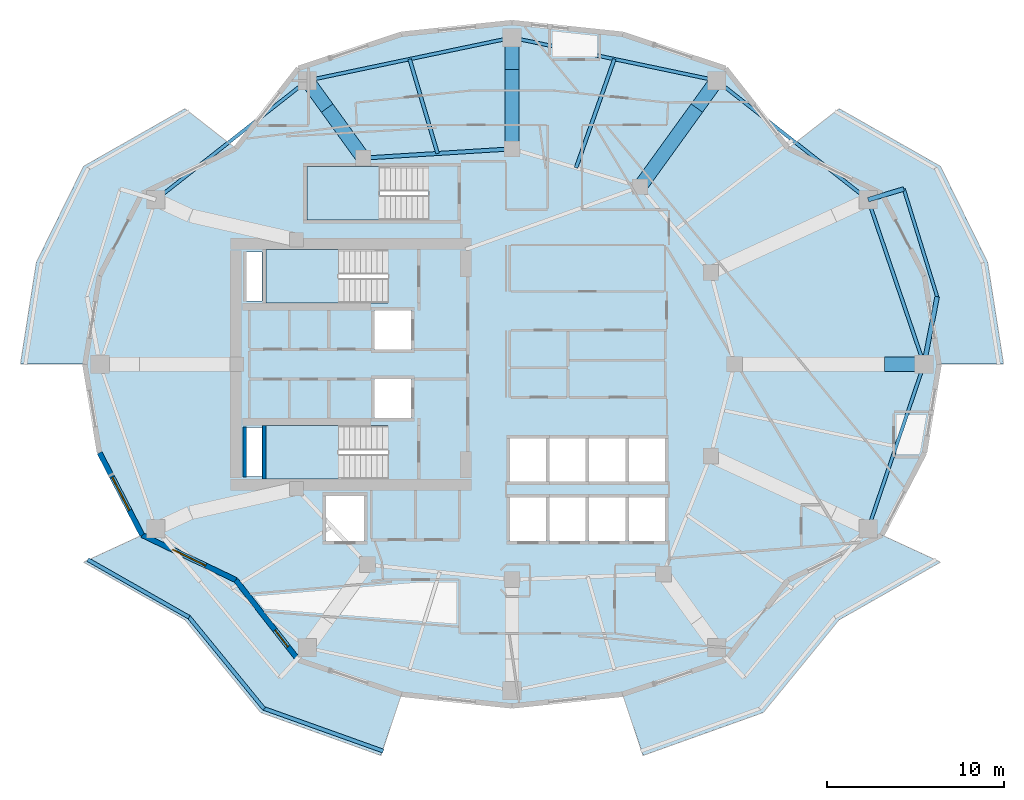
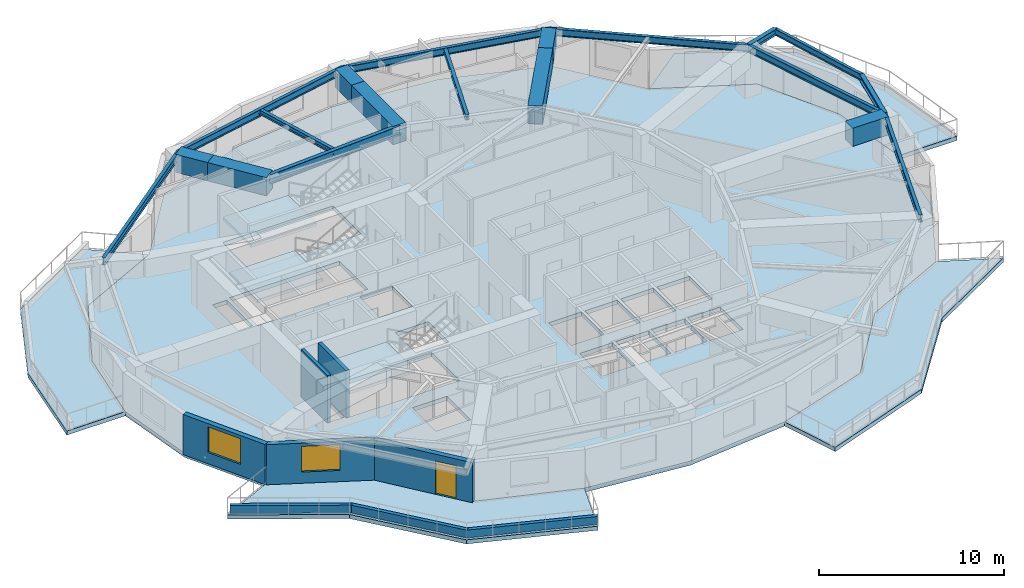
# One storey, part 2 of 12: 19 beams, 8 slabs, 8 walls, 2 windows, 1 door, 3 openings, 3 elements without a shape of their own.
"""IFC4 building model written with IfcOpenShell, lengths in metres."""

import ifcopenshell
import ifcopenshell.guid

model = None  # the IFC model being written
_history = None  # IfcOwnerHistory: only IFC2X3 demands one
_inside = {}  # id of a spatial element -> (the spatial element, [elements in it])
_under = {}  # id of a project, library or spatial element -> (it, [spatial elements below it])
_declared = {}  # id of a project -> (the project, [libraries it declares])
_typed = {}  # id of a type object -> (the type object, [elements of that type])
_made_of = {}  # id of a material, layer set ... -> (it, [elements and type objects made of it])


def new_model(schema):
    """Start an empty IFC model of exactly this schema.

    Asked for "IFC4X3", IfcOpenShell would pick the latest addendum, in which some entities
    have other attributes; the version numbers below select the first issue.
    IFC2X3 requires an IfcOwnerHistory on every rooted entity: one is made here for all.
    """
    global model, _history
    if schema == "IFC4X3":
        model = ifcopenshell.file(schema_version=(4, 3, 0, 0))
    else:
        model = ifcopenshell.file(schema=schema)
    _inside.clear()
    _under.clear()
    _declared.clear()
    _typed.clear()
    _made_of.clear()
    _history = None
    if model.schema == "IFC2X3":
        org = make("IfcOrganization", Name="unknown")
        user = make(
            "IfcPersonAndOrganization",
            ThePerson=make("IfcPerson", FamilyName="unknown"),
            TheOrganization=org,
        )
        app = make(
            "IfcApplication",
            ApplicationDeveloper=org,
            Version="unknown",
            ApplicationFullName="unknown",
            ApplicationIdentifier="unknown",
        )
        _history = make(
            "IfcOwnerHistory",
            OwningUser=user,
            OwningApplication=app,
            ChangeAction="ADDED",
            CreationDate=0,
        )
    return model


def make(cls, **values):
    """One entity of the class cls with the attributes given. An attribute that is None is left unset."""
    return model.create_entity(
        cls, **{name: value for name, value in values.items() if value is not None}
    )


def rooted(cls, **values):
    """An entity with a GlobalId (a new one), such as an element, a storey or a relation."""
    return make(cls, GlobalId=ifcopenshell.guid.new(), OwnerHistory=_history, **values)


def si_unit(unit_type, name, prefix=None):
    """IfcSIUnit, for example si_unit("LENGTHUNIT", "METRE", prefix="MILLI")."""
    return make("IfcSIUnit", UnitType=unit_type, Prefix=prefix, Name=name)


def assignment(units):
    """IfcUnitAssignment: the units of a project."""
    return None if units is None else make("IfcUnitAssignment", Units=units)


def point(xyz):
    """IfcCartesianPoint."""
    return None if xyz is None else make("IfcCartesianPoint", Coordinates=xyz)


def direction(xyz):
    """IfcDirection."""
    return None if xyz is None else make("IfcDirection", DirectionRatios=xyz)


def frame(location, z_axis=None, x_axis=None):
    """IfcAxis2Placement3D, a coordinate frame: its origin and axes. An axis left out is left unset."""
    return make(
        "IfcAxis2Placement3D",
        Location=point(location),
        Axis=direction(z_axis),
        RefDirection=direction(x_axis),
    )


def frame_2d(location, x_axis=None):
    """IfcAxis2Placement2D, a coordinate frame in the plane: its origin and x axis."""
    return make(
        "IfcAxis2Placement2D", Location=point(location), RefDirection=direction(x_axis)
    )


def origin():
    """The frame at (0, 0, 0) with its axes left unset."""
    return frame((0.0, 0.0, 0.0))


def origin_2d():
    """The frame at (0, 0) in the plane with its x axis left unset."""
    return frame_2d((0.0, 0.0))


def place(relative_to, where):
    """IfcLocalPlacement: puts the frame where relative to a parent placement (None: the world)."""
    return make(
        "IfcLocalPlacement", PlacementRelTo=relative_to, RelativePlacement=where
    )


def context(
    kind, dimensions, precision=None, world=None, true_north=None, identifier=None
):
    """IfcGeometricRepresentationContext, for example the 3D "Model" context."""
    return make(
        "IfcGeometricRepresentationContext",
        ContextIdentifier=identifier,
        ContextType=kind,
        CoordinateSpaceDimension=dimensions,
        Precision=precision,
        WorldCoordinateSystem=world,
        TrueNorth=true_north,
    )


def subcontext(parent, identifier, kind, view, scale=None):
    """IfcGeometricRepresentationSubContext, for example "Body" below "Model"."""
    return make(
        "IfcGeometricRepresentationSubContext",
        ContextIdentifier=identifier,
        ContextType=kind,
        ParentContext=parent,
        TargetScale=scale,
        TargetView=view,
    )


def project(units=None, contexts=None):
    """IfcProject with its units and contexts."""
    return rooted(
        "IfcProject",
        Name="project",
        RepresentationContexts=contexts,
        UnitsInContext=assignment(units),
    )


def spatial(cls, under=None, at=None, **own):
    """A site, building, storey or space (cls), placed at a placement, below another one or the project."""
    s = rooted(cls, ObjectPlacement=at, **own)
    if under is not None:
        _under.setdefault(under.id(), (under, []))[1].append(s)
    return s


def polyline(points):
    """IfcPolyline through the points."""
    return make("IfcPolyline", Points=[point(p) for p in points])


def profile(cls, at=None, kind="AREA", **sizes):
    """A parametric profile (cls). Its sizes go by their IFC names, for example OverallWidth=200.0."""
    return make(cls, ProfileType=kind, Position=at, **sizes)


def rectangle(**sizes):
    """IfcRectangleProfileDef."""
    return profile("IfcRectangleProfileDef", **sizes)


def i_section(**sizes):
    """IfcIShapeProfileDef."""
    return profile("IfcIShapeProfileDef", **sizes)


def outline(outer, holes=None, kind="AREA"):
    """IfcArbitraryClosedProfileDef: a profile drawn as a closed curve; with holes, ...WithVoids."""
    if holes is None:
        return make("IfcArbitraryClosedProfileDef", ProfileType=kind, OuterCurve=outer)
    return make(
        "IfcArbitraryProfileDefWithVoids",
        ProfileType=kind,
        OuterCurve=outer,
        InnerCurves=holes,
    )


def extrude(swept, where, along, depth):
    """IfcExtrudedAreaSolid: the profile swept, set in the frame where, extruded along a direction by depth."""
    return make(
        "IfcExtrudedAreaSolid",
        SweptArea=swept,
        Position=where,
        ExtrudedDirection=direction(along),
        Depth=depth,
    )


def shape(context_of_items, identifier, shape_type, items):
    """IfcShapeRepresentation: the items that make up one representation, for example the "Body"."""
    return make(
        "IfcShapeRepresentation",
        ContextOfItems=context_of_items,
        RepresentationIdentifier=identifier,
        RepresentationType=shape_type,
        Items=items,
    )


def material(Name=None, Category=None):
    """IfcMaterial."""
    return make("IfcMaterial", Name=Name, Category=Category)


def layer(
    of_material, thickness, ventilated=None, Name=None, Category=None, Priority=None
):
    """IfcMaterialLayer: one layer of a wall or slab, of a material (None: an air gap)."""
    return make(
        "IfcMaterialLayer",
        Material=of_material,
        LayerThickness=thickness,
        IsVentilated=ventilated,
        Name=Name,
        Category=Category,
        Priority=Priority,
    )


def layer_set(layers, Name=None):
    """IfcMaterialLayerSet."""
    return make("IfcMaterialLayerSet", MaterialLayers=layers, LayerSetName=Name)


def material_profile(
    of_material, cross_section, Name=None, Category=None, Priority=None
):
    """IfcMaterialProfile: a cross section and its material."""
    return make(
        "IfcMaterialProfile",
        Name=Name,
        Material=of_material,
        Profile=cross_section,
        Priority=Priority,
        Category=Category,
    )


def profile_set(profiles, Name=None, composite=None):
    """IfcMaterialProfileSet."""
    return make(
        "IfcMaterialProfileSet",
        Name=Name,
        MaterialProfiles=profiles,
        CompositeProfile=composite,
    )


def made_of(thing, what):
    """Note that an element or type object is made of a material, layer set ...; save() writes the relation."""
    if what is not None:
        _made_of.setdefault(what.id(), (what, []))[1].append(thing)
    return thing


def type_object(cls, material=None, **own):
    """A type object (cls), such as IfcWallType, which elements share."""
    return made_of(rooted(cls, **own), material)


def element(
    cls,
    number,
    at=None,
    inside=None,
    cuts=None,
    type_object=None,
    material=None,
    context=None,
    identifier="Body",
    shape_type=None,
    held_by="IfcProductDefinitionShape",
    body=None,
    shapes=None,
    **own,
):
    """One element of the class cls, such as IfcWall. Its Tag is "e" and its number.

    at: its placement. inside: the storey or other place that contains it. cuts: it is an
    opening in that element (IfcRelVoidsElement). A single representation is given by context,
    identifier, shape_type and body (its items); several are given by shapes. held_by: the class
    of the entity that holds the representations. save() writes the other relations.
    """
    e = rooted(cls, Tag="e%d" % number, ObjectPlacement=at, **own)
    if body is not None:
        shapes = [shape(context, identifier, shape_type, body)]
    if shapes is not None:
        e.Representation = make(held_by, Representations=shapes)
    if inside is not None:
        _inside.setdefault(inside.id(), (inside, []))[1].append(e)
    if cuts is not None:
        rooted(
            "IfcRelVoidsElement", RelatingBuildingElement=cuts, RelatedOpeningElement=e
        )
    if type_object is not None:
        _typed.setdefault(type_object.id(), (type_object, []))[1].append(e)
    return made_of(e, material)


def fill(opening, filler):
    """IfcRelFillsElement: the door or window that sits in an opening."""
    return rooted(
        "IfcRelFillsElement",
        RelatingOpeningElement=opening,
        RelatedBuildingElement=filler,
    )


def aggregate(whole, parts):
    """IfcRelAggregates: a whole, such as a stair, and the parts it consists of."""
    return rooted("IfcRelAggregates", RelatingObject=whole, RelatedObjects=parts)


def save(model, path):
    """Write the relations noted so far, then the file.

    IfcRelAggregates (storeys below a building ...), IfcRelContainedInSpatialStructure (elements
    in a storey), IfcRelDefinesByType, IfcRelAssociatesMaterial and IfcRelDeclares: one each for
    every whole, place, type object, material and project.
    """
    for whole, parts in _under.values():
        aggregate(whole, parts)
    for where, things in _inside.values():
        rooted(
            "IfcRelContainedInSpatialStructure",
            RelatedElements=things,
            RelatingStructure=where,
        )
    for kind, things in _typed.values():
        rooted("IfcRelDefinesByType", RelatedObjects=things, RelatingType=kind)
    for what, things in _made_of.values():
        rooted("IfcRelAssociatesMaterial", RelatedObjects=things, RelatingMaterial=what)
    for by, libraries in _declared.values():
        rooted("IfcRelDeclares", RelatingContext=by, RelatedDefinitions=libraries)
    model.write(path)


model = new_model("IFC4")

# Units and contexts
model_context = context("Model", 3, precision=1e-05, world=origin(), true_north=direction((0.0, 1.0)))
body_context = subcontext(model_context, "Body", "Model", "MODEL_VIEW")
ifc_project = project(units=[si_unit("LENGTHUNIT", "METRE"), si_unit("AREAUNIT", "SQUARE_METRE"), si_unit("VOLUMEUNIT", "CUBIC_METRE"), si_unit("PLANEANGLEUNIT", "RADIAN"), si_unit("MASSUNIT", "GRAM", prefix="KILO")], contexts=[model_context])

# Site, building, storey
site_placement = place(None, origin())
site = spatial("IfcSite", under=ifc_project, at=site_placement, CompositionType="ELEMENT")
building_placement = place(site_placement, origin())
building = spatial("IfcBuilding", under=site, at=building_placement, Name="Kolvaren Gate Tower and Convention Centre", CompositionType="ELEMENT")
storey_placement = place(building_placement, frame((0.0, 0.0, 139.300048828125)))
storey = spatial("IfcBuildingStorey", under=building, at=storey_placement, Name="L35", CompositionType="ELEMENT", Elevation=139.300048828125)

# Beams
ifc_material_1 = material(Name="Structural steel ASTM A992 Grade 345 MPa", Category="steel")
ifc_material_profile_1 = material_profile(ifc_material_1, i_section(OverallWidth=0.260009765625, OverallDepth=0.419921875, WebThickness=0.013427734375, FlangeThickness=0.0224609375, at=origin_2d()), Name="W410X132")
ifc_profile_set_1 = profile_set([ifc_material_profile_1], Name="Structural steel ASTM A992 Grade 345 MPa")
beam_type_1 = type_object("IfcBeamType", Name="STR-BM-W410X132", PredefinedType="BEAM", material=ifc_profile_set_1)
beam_1_placement = place(storey_placement, frame((53.46240234375, 27.0, 2.92041015625), z_axis=(0.191057318066, 0.981578881809, 0.0), x_axis=(-0.981578881809, 0.191057318066, 0.0)))
element("IfcBeam", 1, at=beam_1_placement, inside=storey, type_object=beam_type_1, Name="Tower L36 Planted Balcony Outrigger Cantilever BC-1A", PredefinedType="BEAM", context=body_context, shape_type="SweptSolid", body=[
    extrude(i_section(OverallWidth=0.260009765625, OverallDepth=0.419921875, WebThickness=0.013427734375, FlangeThickness=0.0224609375, at=origin_2d()), origin(), (0.0, 0.0, 1.0), 3.89990234375),
])
beam_2_placement = place(storey_placement, frame((50.30029296875, 36.318603515625, 2.92041015625), z_axis=(0.956945492559, 0.290267676932, 0.0), x_axis=(-0.290267676932, 0.956945492559, 0.0)))
element("IfcBeam", 2, at=beam_2_placement, inside=storey, type_object=beam_type_1, Name="Tower L36 Planted Balcony Outrigger Cantilever BC-1B", PredefinedType="BEAM", context=body_context, shape_type="SweptSolid", body=[
    extrude(i_section(OverallWidth=0.260009765625, OverallDepth=0.419921875, WebThickness=0.013427734375, FlangeThickness=0.0224609375, at=origin_2d()), origin(), (0.0, 0.0, 1.0), 2.108642578125),
])
ifc_material_profile_2 = material_profile(ifc_material_1, i_section(OverallWidth=0.22998046875, OverallDepth=0.616943359375, WebThickness=0.01318359375, FlangeThickness=0.022216796875, at=origin_2d()), Name="W610X140")
ifc_profile_set_2 = profile_set([ifc_material_profile_2], Name="Structural steel ASTM A992 Grade 345 MPa")
beam_type_2 = type_object("IfcBeamType", Name="STR-BM-W610X140", PredefinedType="BEAM", material=ifc_profile_set_2)
beam_3_placement = place(storey_placement, frame((30.125, 39.199951171875, 2.821533203125), z_axis=(-0.998078258568, -0.06196603726, 0.0), x_axis=(0.06196603726, -0.998078258568, 0.0)))
element("IfcBeam", 3, at=beam_3_placement, inside=storey, type_object=beam_type_2, Name="Tower L35 Primary Ring Girder G-04", PredefinedType="BEAM", context=body_context, shape_type="SweptSolid", body=[
    extrude(i_section(OverallWidth=0.22998046875, OverallDepth=0.616943359375, WebThickness=0.01318359375, FlangeThickness=0.022216796875, at=origin_2d()), origin(), (0.0, 0.0, 1.0), 8.443115234375),
])
ifc_material_profile_3 = material_profile(ifc_material_1, i_section(OverallWidth=0.205078125, OverallDepth=0.31005859375, WebThickness=0.009521484375, FlangeThickness=0.016357421875, at=origin_2d()), Name="W310X74")
ifc_profile_set_3 = profile_set([ifc_material_profile_3], Name="Structural steel ASTM A992 Grade 345 MPa")
beam_type_3 = type_object("IfcBeamType", Name="STR-JS-W310X74", PredefinedType="JOIST", material=ifc_profile_set_3)
beam_4_placement = place(storey_placement, frame((33.75341796875, 38.12744140625, 2.974853515625), z_axis=(0.332372088023, 0.943148342046, 0.0), x_axis=(-0.943148342046, 0.332372088023, 0.0)))
element("IfcBeam", 4, at=beam_4_placement, inside=storey, type_object=beam_type_3, Name="Tower L35 Secondary Composite Floor Joist J-03.1", PredefinedType="JOIST", context=body_context, shape_type="SweptSolid", body=[
    extrude(i_section(OverallWidth=0.205078125, OverallDepth=0.31005859375, WebThickness=0.009521484375, FlangeThickness=0.016357421875, at=origin_2d()), origin(), (0.0, 0.0, 1.0), 6.52783203125),
])
beam_5_placement = place(storey_placement, frame((25.91162109375, 38.938232421875, 2.974853515625), z_axis=(-0.284209081553, 0.958762326107, 0.0), x_axis=(-0.958762326107, -0.284209081553, 0.0)))
element("IfcBeam", 5, at=beam_5_placement, inside=storey, type_object=beam_type_3, Name="Tower L35 Secondary Composite Floor Joist J-04.1", PredefinedType="JOIST", context=body_context, shape_type="SweptSolid", body=[
    extrude(i_section(OverallWidth=0.205078125, OverallDepth=0.31005859375, WebThickness=0.009521484375, FlangeThickness=0.016357421875, at=origin_2d()), origin(), (0.0, 0.0, 1.0), 5.575927734375),
])
ifc_material_profile_4 = material_profile(ifc_material_1, i_section(OverallWidth=0.180908203125, OverallDepth=0.4169921875, WebThickness=0.010986328125, FlangeThickness=0.018310546875, at=origin_2d()), Name="W410X85")
ifc_profile_set_4 = profile_set([ifc_material_profile_4], Name="Structural steel ASTM A992 Grade 345 MPa")
beam_type_4 = type_object("IfcBeamType", Name="STR-SP-W410X85", PredefinedType="SPANDREL", material=ifc_profile_set_4)
beam_6_placement = place(storey_placement, frame((54.20751953125, 30.828125, 2.921875), z_axis=(-0.295758460142, 0.955262756133, 0.0), x_axis=(-0.955262756133, -0.295758460142, 0.0)))
element("IfcBeam", 6, at=beam_6_placement, inside=storey, type_object=beam_type_4, Name="Tower L36 Planted Balcony Header Tie Beam BT-1", PredefinedType="SPANDREL", context=body_context, shape_type="SweptSolid", body=[
    extrude(i_section(OverallWidth=0.180908203125, OverallDepth=0.4169921875, WebThickness=0.010986328125, FlangeThickness=0.018310546875, at=origin_2d()), origin(), (0.0, 0.0, 1.0), 6.388427734375),
])
ifc_material_profile_5 = material_profile(ifc_material_1, i_section(OverallWidth=0.194091796875, OverallDepth=0.468994140625, WebThickness=0.0126953125, FlangeThickness=0.0205078125, at=origin_2d()), Name="W460X106")
ifc_profile_set_5 = profile_set([ifc_material_profile_5], Name="Structural steel ASTM A992 Grade 345 MPa")
beam_type_5 = type_object("IfcBeamType", Name="STR-SP-W460X106", PredefinedType="SPANDREL", material=ifc_profile_set_5)
beam_7_placement = place(storey_placement, frame((53.46240234375, 27.0, 2.8955078125), z_axis=(-0.321336471485, 0.946965084939, 0.0), x_axis=(-0.946965084939, -0.321336471485, 0.0)))
element("IfcBeam", 7, at=beam_7_placement, inside=storey, type_object=beam_type_5, Name="Tower L35 Perimeter Spandrel Beam SP-01", PredefinedType="SPANDREL", context=body_context, shape_type="SweptSolid", body=[
    extrude(i_section(OverallWidth=0.194091796875, OverallDepth=0.468994140625, WebThickness=0.0126953125, FlangeThickness=0.0205078125, at=origin_2d()), origin(), (0.0, 0.0, 1.0), 9.840576171875),
])
beam_8_placement = place(storey_placement, frame((50.30029296875, 36.318603515625, 2.8955078125), z_axis=(-0.785907610354, 0.618343939881, 0.0), x_axis=(-0.618343939881, -0.785907610354, 0.0)))
element("IfcBeam", 8, at=beam_8_placement, inside=storey, type_object=beam_type_5, Name="Tower L35 Perimeter Spandrel Beam SP-02", PredefinedType="SPANDREL", context=body_context, shape_type="SweptSolid", body=[
    extrude(i_section(OverallWidth=0.194091796875, OverallDepth=0.468994140625, WebThickness=0.0126953125, FlangeThickness=0.0205078125, at=origin_2d()), origin(), (0.0, 0.0, 1.0), 10.915771484375),
])
beam_9_placement = place(storey_placement, frame((41.721435546875, 43.068359375, 2.8955078125), z_axis=(-0.978714746947, 0.205225349578, 0.0), x_axis=(-0.205225349578, -0.978714746947, 0.0)))
element("IfcBeam", 9, at=beam_9_placement, inside=storey, type_object=beam_type_5, Name="Tower L35 Perimeter Spandrel Beam SP-03", PredefinedType="SPANDREL", context=body_context, shape_type="SweptSolid", body=[
    extrude(i_section(OverallWidth=0.194091796875, OverallDepth=0.468994140625, WebThickness=0.0126953125, FlangeThickness=0.0205078125, at=origin_2d()), origin(), (0.0, 0.0, 1.0), 11.8486328125),
])
beam_10_placement = place(storey_placement, frame((30.125, 45.5, 2.8955078125), z_axis=(-0.978713879092, -0.20522948831, 0.0), x_axis=(0.20522948831, -0.978713879092, 0.0)))
element("IfcBeam", 10, at=beam_10_placement, inside=storey, type_object=beam_type_5, Name="Tower L35 Perimeter Spandrel Beam SP-04", PredefinedType="SPANDREL", context=body_context, shape_type="SweptSolid", body=[
    extrude(i_section(OverallWidth=0.194091796875, OverallDepth=0.468994140625, WebThickness=0.0126953125, FlangeThickness=0.0205078125, at=origin_2d()), origin(), (0.0, 0.0, 1.0), 11.848388671875),
])
beam_11_placement = place(storey_placement, frame((18.52880859375, 43.068359375, 2.8955078125), z_axis=(-0.785916161629, -0.61833307116, 0.0), x_axis=(0.61833307116, -0.785916161629, 0.0)))
element("IfcBeam", 11, at=beam_11_placement, inside=storey, type_object=beam_type_5, Name="Tower L35 Perimeter Spandrel Beam SP-05", PredefinedType="SPANDREL", context=body_context, shape_type="SweptSolid", body=[
    extrude(i_section(OverallWidth=0.194091796875, OverallDepth=0.468994140625, WebThickness=0.0126953125, FlangeThickness=0.0205078125, at=origin_2d()), origin(), (0.0, 0.0, 1.0), 10.916015625),
])
beam_12_placement = place(storey_placement, frame((50.30029296875, 17.681396484375, 2.8955078125), z_axis=(0.321336471485, 0.946965084939, 0.0), x_axis=(-0.946965084939, 0.321336471485, 0.0)))
element("IfcBeam", 12, at=beam_12_placement, inside=storey, type_object=beam_type_5, Name="Tower L35 Perimeter Spandrel Beam SP-12", PredefinedType="SPANDREL", context=body_context, shape_type="SweptSolid", body=[
    extrude(i_section(OverallWidth=0.194091796875, OverallDepth=0.468994140625, WebThickness=0.0126953125, FlangeThickness=0.0205078125, at=origin_2d()), origin(), (0.0, 0.0, 1.0), 9.840576171875),
])
ifc_material_2 = material(Name="Concrete C70/85", Category="concrete")
ifc_material_profile_6 = material_profile(ifc_material_2, rectangle(XDim=0.800048828125, YDim=1.199951171875, at=origin_2d()), Name="RC-BM-800X1200")
ifc_profile_set_6 = profile_set([ifc_material_profile_6], Name="Concrete C70/85")
beam_type_6 = type_object("IfcBeamType", Name="STR-TG-RC800X1200", PredefinedType="USERDEFINED", material=ifc_profile_set_6)
beam_13_placement = place(storey_placement, frame((51.21240234375, 27.0, 2.530517578125), z_axis=(1.0, 0.0, 0.0), x_axis=(0.0, 1.0, 0.0)))
element("IfcBeam", 13, at=beam_13_placement, inside=storey, type_object=beam_type_6, Name="Tower L35 Zone-Transition Radial Transfer Girder XFG-01B", ObjectType="TRANSFER GIRDER", PredefinedType="USERDEFINED", context=body_context, shape_type="SweptSolid", body=[
    extrude(rectangle(XDim=0.800048828125, YDim=1.199951171875, at=origin_2d()), origin(), (0.0, 0.0, 1.0), 2.25),
])
beam_14_placement = place(storey_placement, frame((37.381591796875, 37.054931640625, 2.530517578125), z_axis=(0.58520818289, 0.810883088169, 0.0), x_axis=(-0.810883088169, 0.58520818289, 0.0)))
element("IfcBeam", 14, at=beam_14_placement, inside=storey, type_object=beam_type_6, Name="Tower L35 Zone-Transition Radial Transfer Girder XFG-03A", ObjectType="TRANSFER GIRDER", PredefinedType="USERDEFINED", context=body_context, shape_type="SweptSolid", body=[
    extrude(rectangle(XDim=0.800048828125, YDim=1.199951171875, at=origin_2d()), origin(), (0.0, 0.0, 1.0), 5.493408203125),
])
beam_15_placement = place(storey_placement, frame((40.596435546875, 41.509521484375, 2.530517578125), z_axis=(0.585207670307, 0.810883458096, 0.0), x_axis=(-0.810883458096, 0.585207670307, 0.0)))
element("IfcBeam", 15, at=beam_15_placement, inside=storey, type_object=beam_type_6, Name="Tower L35 Zone-Transition Radial Transfer Girder XFG-03B", ObjectType="TRANSFER GIRDER", PredefinedType="USERDEFINED", context=body_context, shape_type="SweptSolid", body=[
    extrude(rectangle(XDim=0.800048828125, YDim=1.199951171875, at=origin_2d()), origin(), (0.0, 0.0, 1.0), 1.92236328125),
])
beam_16_placement = place(storey_placement, frame((30.125, 39.199951171875, 2.530517578125), z_axis=(0.0, 1.0, 0.0), x_axis=(-1.0, 0.0, 0.0)))
element("IfcBeam", 16, at=beam_16_placement, inside=storey, type_object=beam_type_6, Name="Tower L35 Zone-Transition Radial Transfer Girder XFG-04A", ObjectType="TRANSFER GIRDER", PredefinedType="USERDEFINED", context=body_context, shape_type="SweptSolid", body=[
    extrude(rectangle(XDim=0.800048828125, YDim=1.199951171875, at=origin_2d()), origin(), (0.0, 0.0, 1.0), 4.5),
])
beam_17_placement = place(storey_placement, frame((30.125, 43.699951171875, 2.530517578125), z_axis=(0.0, 1.0, 0.0), x_axis=(-1.0, 0.0, 0.0)))
element("IfcBeam", 17, at=beam_17_placement, inside=storey, type_object=beam_type_6, Name="Tower L35 Zone-Transition Radial Transfer Girder XFG-04B", ObjectType="TRANSFER GIRDER", PredefinedType="USERDEFINED", context=body_context, shape_type="SweptSolid", body=[
    extrude(rectangle(XDim=0.800048828125, YDim=1.199951171875, at=origin_2d()), origin(), (0.0, 0.0, 1.0), 1.800048828125),
])
beam_18_placement = place(storey_placement, frame((21.697998046875, 38.6767578125, 2.530517578125), z_axis=(-0.585171547435, 0.810909526441, 0.0), x_axis=(-0.810909526441, -0.585171547435, 0.0)))
element("IfcBeam", 18, at=beam_18_placement, inside=storey, type_object=beam_type_6, Name="Tower L35 Zone-Transition Radial Transfer Girder XFG-05A", ObjectType="TRANSFER GIRDER", PredefinedType="USERDEFINED", context=body_context, shape_type="SweptSolid", body=[
    extrude(rectangle(XDim=0.800048828125, YDim=1.199951171875, at=origin_2d()), origin(), (0.0, 0.0, 1.0), 3.493408203125),
])
beam_19_placement = place(storey_placement, frame((19.65380859375, 41.509521484375, 2.530517578125), z_axis=(-0.585207670307, 0.810883458096, 0.0), x_axis=(-0.810883458096, -0.585207670307, 0.0)))
element("IfcBeam", 19, at=beam_19_placement, inside=storey, type_object=beam_type_6, Name="Tower L35 Zone-Transition Radial Transfer Girder XFG-05B", ObjectType="TRANSFER GIRDER", PredefinedType="USERDEFINED", context=body_context, shape_type="SweptSolid", body=[
    extrude(rectangle(XDim=0.800048828125, YDim=1.199951171875, at=origin_2d()), origin(), (0.0, 0.0, 1.0), 1.92236328125),
])

# Slabs
ifc_material_3 = material(Name="Concrete C50/60", Category="concrete")
ifc_layer_1 = layer(ifc_material_3, 0.27001953125)
ifc_layer_set_1 = layer_set([ifc_layer_1], Name="Concrete C50/60")
slab_type_1 = type_object("IfcSlabType", Name="STR-SL-BALC-270", PredefinedType="FLOOR", material=ifc_layer_set_1)
slab_1_placement = place(storey_placement, frame((0.0, 0.0, -0.27001953125)))
element("IfcSlab", 20, at=slab_1_placement, inside=storey, type_object=slab_type_1, Name="Tower L35 Planted Balcony Terrace Slab 1 (East)", PredefinedType="FLOOR", context=body_context, shape_type="SweptSolid", body=[
    extrude(outline(polyline([(54.3125, 27.0), (53.48828125, 32.008056640625), (51.072021484375, 36.675048828125), (45.768798828125, 39.222900390625), (48.652587890625, 41.476318359375), (54.394775390625, 38.209716796875), (57.06689453125, 32.775146484375), (57.972412109375, 27.0), (54.3125, 27.0)])), origin(), (0.0, 0.0, 1.0), 0.27001953125),
])
slab_2_placement = place(storey_placement, frame((0.0, 0.0, -0.27001953125)))
element("IfcSlab", 21, at=slab_2_placement, inside=storey, type_object=slab_type_1, Name="Tower L35 Planted Balcony Terrace Slab 2 (West)", PredefinedType="FLOOR", context=body_context, shape_type="SweptSolid", body=[
    extrude(outline(polyline([(14.481201171875, 39.222900390625), (9.177978515625, 36.675048828125), (6.76171875, 32.008056640625), (5.9375, 27.0), (2.277587890625, 27.0), (3.18310546875, 32.775146484375), (5.855224609375, 38.209716796875), (11.597412109375, 41.476318359375), (14.481201171875, 39.222900390625)])), origin(), (0.0, 0.0, 1.0), 0.27001953125),
])
slab_3_placement = place(storey_placement, frame((0.0, 0.0, -0.27001953125)))
element("IfcSlab", 22, at=slab_3_placement, inside=storey, type_object=slab_type_1, Name="Tower L35 Planted Balcony Terrace Slab 3 (South)", PredefinedType="FLOOR", context=body_context, shape_type="SweptSolid", body=[
    extrude(outline(polyline([(9.177978515625, 17.324951171875), (14.481201171875, 14.777099609375), (18.03125, 10.242431640625), (23.86474609375, 8.309326171875), (22.702392578125, 4.8388671875), (15.889404296875, 7.274658203125), (11.597412109375, 12.523681640625), (5.855224609375, 15.790283203125), (9.177978515625, 17.324951171875)])), origin(), (0.0, 0.0, 1.0), 0.27001953125),
])
slab_4_placement = place(storey_placement, frame((0.0, 0.0, -0.27001953125)))
element("IfcSlab", 23, at=slab_4_placement, inside=storey, type_object=slab_type_1, Name="Tower L35 Planted Balcony Terrace Slab 4 (South)", PredefinedType="FLOOR", context=body_context, shape_type="SweptSolid", body=[
    extrude(outline(polyline([(36.38525390625, 8.309326171875), (42.21875, 10.242431640625), (45.768798828125, 14.777099609375), (51.072021484375, 17.324951171875), (54.394775390625, 15.790283203125), (48.652587890625, 12.523681640625), (44.360595703125, 7.274658203125), (37.547607421875, 4.8388671875), (36.38525390625, 8.309326171875)])), origin(), (0.0, 0.0, 1.0), 0.27001953125),
])
ifc_material_4 = material(Name="Concrete C40/50", Category="concrete")
ifc_layer_2 = layer(ifc_material_4, 0.27001953125)
ifc_layer_set_2 = layer_set([ifc_layer_2], Name="Concrete C40/50")
slab_type_2 = type_object("IfcSlabType", Name="STR-SL-FLR-270", PredefinedType="FLOOR", material=ifc_layer_set_2)
slab_5_placement = place(storey_placement, frame((0.0, 0.0, -0.27001953125)))
element("IfcSlab", 24, at=slab_5_placement, inside=storey, type_object=slab_type_2, Name="Tower L35 Structural Floor Slab", PredefinedType="FLOOR", context=body_context, shape_type="SweptSolid", body=[
    extrude(outline(polyline([(54.3125, 27.0), (53.48828125, 32.008056640625), (51.072021484375, 36.675048828125), (45.768798828125, 39.222900390625), (42.21875, 43.757568359375), (36.38525390625, 45.690673828125), (30.125, 46.35009765625), (23.86474609375, 45.690673828125), (18.03125, 43.757568359375), (14.481201171875, 39.222900390625), (9.177978515625, 36.675048828125), (6.76171875, 32.008056640625), (5.9375, 27.0), (6.76171875, 21.991943359375), (9.177978515625, 17.324951171875), (14.481201171875, 14.777099609375), (18.03125, 10.242431640625), (23.86474609375, 8.309326171875), (30.125, 7.64990234375), (36.38525390625, 8.309326171875), (42.21875, 10.242431640625), (45.768798828125, 14.777099609375), (51.072021484375, 17.324951171875), (53.48828125, 21.991943359375), (54.3125, 27.0)]), holes=[polyline([(36.75, 17.0), (36.75, 19.449951171875), (38.800048828125, 19.449951171875), (38.800048828125, 17.0), (36.75, 17.0)]), polyline([(36.75, 20.35009765625), (36.75, 22.800048828125), (38.800048828125, 22.800048828125), (38.800048828125, 20.35009765625), (36.75, 20.35009765625)]), polyline([(34.5, 17.0), (34.5, 19.449951171875), (36.550048828125, 19.449951171875), (36.550048828125, 17.0), (34.5, 17.0)]), polyline([(34.5, 20.35009765625), (34.5, 22.800048828125), (36.550048828125, 22.800048828125), (36.550048828125, 20.35009765625), (34.5, 20.35009765625)]), polyline([(32.25, 17.0), (32.25, 19.449951171875), (34.300048828125, 19.449951171875), (34.300048828125, 17.0), (32.25, 17.0)]), polyline([(32.25, 20.35009765625), (32.25, 22.800048828125), (34.300048828125, 22.800048828125), (34.300048828125, 20.35009765625), (32.25, 20.35009765625)]), polyline([(30.0, 17.0), (30.0, 19.449951171875), (32.050048828125, 19.449951171875), (32.050048828125, 17.0), (30.0, 17.0)]), polyline([(30.0, 20.35009765625), (30.0, 22.800048828125), (32.050048828125, 22.800048828125), (32.050048828125, 20.35009765625), (30.0, 20.35009765625)]), polyline([(25.39990234375, 38.199951171875), (25.39990234375, 35.159912109375), (18.5, 35.159912109375), (18.5, 38.199951171875), (25.39990234375, 38.199951171875)]), polyline([(22.35009765625, 23.9599609375), (22.35009765625, 26.159912109375), (24.39990234375, 26.159912109375), (24.39990234375, 23.9599609375), (22.35009765625, 23.9599609375)]), polyline([(22.35009765625, 27.840087890625), (22.35009765625, 30.0400390625), (24.39990234375, 30.0400390625), (24.39990234375, 27.840087890625), (22.35009765625, 27.840087890625)]), polyline([(23.10009765625, 23.5400390625), (23.10009765625, 20.5), (16.199951171875, 20.5), (16.199951171875, 23.5400390625), (23.10009765625, 23.5400390625)]), polyline([(23.10009765625, 33.5), (23.10009765625, 30.4599609375), (16.199951171875, 30.4599609375), (16.199951171875, 33.5), (23.10009765625, 33.5)]), polyline([(19.60009765625, 17.0), (19.60009765625, 19.550048828125), (21.75, 19.550048828125), (21.75, 17.0), (19.60009765625, 17.0)]), polyline([(15.080078125, 20.6298828125), (15.080078125, 23.419921875), (15.969970703125, 23.419921875), (15.969970703125, 20.6298828125), (15.080078125, 20.6298828125)]), polyline([(15.080078125, 30.580078125), (15.080078125, 33.3701171875), (15.969970703125, 33.3701171875), (15.969970703125, 30.580078125), (15.080078125, 30.580078125)])]), origin(), (0.0, 0.0, 1.0), 0.27001953125),
])

# Stair, slab
stair_type = type_object("IfcStairType", Name="STR-STAIR-CORE", PredefinedType="HALF_TURN_STAIR", material=ifc_material_3)
stair_1_placement = place(storey_placement, origin())
stair_1 = element("IfcStair", 25, at=stair_1_placement, inside=storey, type_object=stair_type, Name="L35 Tower North Exit Stair ST-T1", PredefinedType="HALF_TURN_STAIR")
ifc_layer_3 = layer(ifc_material_3, 0.199951171875)
ifc_layer_set_3 = layer_set([ifc_layer_3], Name="Concrete C50/60")
slab_type_3 = type_object("IfcSlabType", Name="STR-SL-LAND-200", PredefinedType="LANDING", material=ifc_layer_set_3)
slab_6_placement = place(storey_placement, frame((0.0, 0.0, 1.5)))
slab_6 = element("IfcSlab", 26, at=slab_6_placement, type_object=slab_type_3, Name="ST-T1 landing 1", PredefinedType="LANDING", context=body_context, shape_type="SweptSolid", body=[
    extrude(outline(polyline([(20.31005859375, 33.5), (16.199951171875, 33.5), (16.199951171875, 30.4599609375), (20.31005859375, 30.4599609375), (20.31005859375, 33.5)])), origin(), (0.0, 0.0, 1.0), 0.199951171875),
])
aggregate(stair_1, [slab_6])

stair_2_placement = place(storey_placement, origin())
stair_2 = element("IfcStair", 27, at=stair_2_placement, inside=storey, type_object=stair_type, Name="L35 Tower South Exit Stair ST-T2", PredefinedType="HALF_TURN_STAIR")
slab_7_placement = place(storey_placement, frame((0.0, 0.0, 1.5)))
slab_7 = element("IfcSlab", 28, at=slab_7_placement, type_object=slab_type_3, Name="ST-T2 landing 1", PredefinedType="LANDING", context=body_context, shape_type="SweptSolid", body=[
    extrude(outline(polyline([(20.31005859375, 23.5400390625), (16.199951171875, 23.5400390625), (16.199951171875, 20.5), (20.31005859375, 20.5), (20.31005859375, 23.5400390625)])), origin(), (0.0, 0.0, 1.0), 0.199951171875),
])
aggregate(stair_2, [slab_7])

stair_3_placement = place(storey_placement, origin())
stair_3 = element("IfcStair", 29, at=stair_3_placement, inside=storey, type_object=stair_type, Name="L35 Tower Mid-Zone Exit Stair ST-T3", PredefinedType="HALF_TURN_STAIR")
slab_8_placement = place(storey_placement, frame((0.0, 0.0, 1.5)))
slab_8 = element("IfcSlab", 30, at=slab_8_placement, type_object=slab_type_3, Name="ST-T3 landing 1", PredefinedType="LANDING", context=body_context, shape_type="SweptSolid", body=[
    extrude(outline(polyline([(22.610107421875, 38.199951171875), (18.5, 38.199951171875), (18.5, 35.159912109375), (22.610107421875, 35.159912109375), (22.610107421875, 38.199951171875)])), origin(), (0.0, 0.0, 1.0), 0.199951171875),
])
aggregate(stair_3, [slab_8])

# Walls
ifc_material_5 = material(Name="Piedmont Cream Honed Limestone Cladding", Category="masonry")
ifc_layer_4 = layer(ifc_material_5, 0.219970703125)
ifc_layer_set_4 = layer_set([ifc_layer_4], Name="Piedmont Cream Honed Limestone Cladding")
wall_type_1 = type_object("IfcWallType", Name="ARCH-WL-PLANTER-220", PredefinedType="PARAPET", material=ifc_layer_set_4)
wall_1_placement = place(storey_placement, frame((6.095458984375, 15.934326171875, 0.0), z_axis=(0.0, 0.0, 1.0), x_axis=(0.869187658335, -0.494482370361, 0.0)))
element("IfcWall", 31, at=wall_1_placement, inside=storey, type_object=wall_type_1, Name="Vertical-Forest Balcony Stone Planter Kerb PK-L35-3.1", PredefinedType="PARAPET", context=body_context, shape_type="SweptSolid", body=[
    extrude(rectangle(XDim=6.606201171875, YDim=0.219970703125, at=frame_2d((3.30322265625, 0.0))), origin(), (0.0, 0.0, 1.0), 0.52001953125),
])
wall_2_placement = place(storey_placement, frame((11.791015625, 12.725830078125, 0.0), z_axis=(0.0, 0.0, 1.0), x_axis=(0.633002467947, -0.77414977593, 0.0)))
element("IfcWall", 32, at=wall_2_placement, inside=storey, type_object=wall_type_1, Name="Vertical-Forest Balcony Stone Planter Kerb PK-L35-3.2", PredefinedType="PARAPET", context=body_context, shape_type="SweptSolid", body=[
    extrude(rectangle(XDim=6.7802734375, YDim=0.219970703125, at=frame_2d((3.39013671875, 0.0))), origin(), (0.0, 0.0, 1.0), 0.52001953125),
])
wall_3_placement = place(storey_placement, frame((16.017822265625, 7.523193359375, 0.0), z_axis=(0.0, 0.0, 1.0), x_axis=(0.941632697311, -0.336642040387, 0.0)))
element("IfcWall", 33, at=wall_3_placement, inside=storey, type_object=wall_type_1, Name="Vertical-Forest Balcony Stone Planter Kerb PK-L35-3.3", PredefinedType="PARAPET", context=body_context, shape_type="SweptSolid", body=[
    extrude(rectangle(XDim=7.235595703125, YDim=0.219970703125, at=frame_2d((3.61767578125, 0.0))), origin(), (0.0, 0.0, 1.0), 0.52001953125),
])
ifc_material_6 = material(Name="Autoclaved Aerated Masonry Blockwork Class 4 (4.0 MPa)", Category="masonry")
ifc_layer_5 = layer(ifc_material_6, 0.199951171875)
ifc_layer_set_5 = layer_set([ifc_layer_5], Name="Autoclaved Aerated Masonry Blockwork Class 4 (4.0 MPa)")
wall_type_2 = type_object("IfcWallType", Name="ARCH-WL-SHAFT-200", PredefinedType="SOLIDWALL", material=ifc_layer_set_5)
wall_4_placement = place(storey_placement, frame((14.989990234375, 20.60009765625, 0.0), z_axis=(0.0, 0.0, 1.0), x_axis=(0.0, 1.0, 0.0)))
element("IfcWall", 34, at=wall_4_placement, inside=storey, type_object=wall_type_2, Name="Vertical Shaft MPR L35 EI-120 Enclosure Wall W", PredefinedType="SOLIDWALL", context=body_context, shape_type="SweptSolid", body=[
    extrude(rectangle(XDim=2.849853515625, YDim=0.199951171875, at=frame_2d((1.4248046875, 0.0))), origin(), (0.0, 0.0, 1.0), 3.1298828125),
])

# Wall, opening, window
ifc_layer_6 = layer(ifc_material_5, 0.300048828125)
ifc_layer_set_6 = layer_set([ifc_layer_6], Name="Piedmont Cream Honed Limestone Cladding")
wall_type_3 = type_object("IfcWallType", Name="ARCH-WL-STONE-300", PredefinedType="SOLIDWALL", material=ifc_layer_set_6)
wall_5_placement = place(storey_placement, frame((6.76171875, 21.991943359375, 0.0), z_axis=(0.0, 0.0, 1.0), x_axis=(0.459767899643, -0.888039119892, 0.0)))
wall_5 = element("IfcWall", 35, at=wall_5_placement, inside=storey, type_object=wall_type_3, Name="Tower L35 Honed Stone Spandrel Wall EW-13", PredefinedType="SOLIDWALL", context=body_context, shape_type="SweptSolid", body=[
    extrude(rectangle(XDim=5.25537109375, YDim=0.300048828125, at=frame_2d((2.627685546875, 0.0))), origin(), (0.0, 0.0, 1.0), 2.65283203125),
])
opening_1_placement = place(wall_5_placement, frame((1.577880859375, 0.0, 0.739990234375)))
opening_1 = element("IfcOpeningElement", 36, at=opening_1_placement, cuts=wall_5, Name="Opening W-02", PredefinedType="OPENING", context=body_context, shape_type="SweptSolid", body=[
    extrude(rectangle(XDim=2.10009765625, YDim=1.699951171875, at=frame_2d((1.050048828125, 0.85009765625))), frame((0.0, 0.159912109375, 0.0), z_axis=(0.0, -1.0, 0.0), x_axis=(1.0, 0.0, 0.0)), (0.0, 0.0, 1.0), 0.320068359375),
])
ifc_material_7 = material(Name="Low-E Triple Insulated Glazing Unit 44 mm", Category="glass")
window_type = type_object("IfcWindowType", Name="ARCH-WN-HTL-2100", PartitioningType="SINGLE_PANEL", PredefinedType="WINDOW", material=ifc_material_7)
window_1_placement = place(opening_1_placement, origin())
window_1 = element("IfcWindow", 37, at=window_1_placement, inside=storey, type_object=window_type, Name="Tower L35 Punched Stone Facade Window W-13", OverallHeight=1.699951171875, OverallWidth=2.10009765625, PartitioningType="SINGLE_PANEL", PredefinedType="WINDOW", context=body_context, shape_type="SweptSolid", body=[
    extrude(rectangle(XDim=2.10009765625, YDim=1.699951171875, at=frame_2d((1.050048828125, 0.85009765625))), frame((0.0, 0.030029296875, 0.0), z_axis=(0.0, -1.0, 0.0), x_axis=(1.0, 0.0, 0.0)), (0.0, 0.0, 1.0), 0.06005859375),
])
fill(opening_1, window_1)

wall_6_placement = place(storey_placement, frame((9.177978515625, 17.324951171875, 0.0), z_axis=(0.0, 0.0, 1.0), x_axis=(0.901370184739, -0.433049408339, 0.0)))
wall_6 = element("IfcWall", 38, at=wall_6_placement, inside=storey, type_object=wall_type_3, Name="Tower L35 Honed Stone Spandrel Wall EW-14", PredefinedType="SOLIDWALL", context=body_context, shape_type="SweptSolid", body=[
    extrude(rectangle(XDim=5.883544921875, YDim=0.300048828125, at=frame_2d((2.94189453125, 0.0))), origin(), (0.0, 0.0, 1.0), 2.65283203125),
])
opening_2_placement = place(wall_6_placement, frame((1.89208984375, 0.0, 0.739990234375)))
opening_2 = element("IfcOpeningElement", 39, at=opening_2_placement, cuts=wall_6, Name="Opening W-02", PredefinedType="OPENING", context=body_context, shape_type="SweptSolid", body=[
    extrude(rectangle(XDim=2.10009765625, YDim=1.699951171875, at=frame_2d((1.050048828125, 0.85009765625))), frame((0.0, 0.159912109375, 0.0), z_axis=(0.0, -1.0, 0.0), x_axis=(1.0, 0.0, 0.0)), (0.0, 0.0, 1.0), 0.320068359375),
])
window_2_placement = place(opening_2_placement, origin())
window_2 = element("IfcWindow", 40, at=window_2_placement, inside=storey, type_object=window_type, Name="Tower L35 Punched Stone Facade Window W-14", OverallHeight=1.699951171875, OverallWidth=2.10009765625, PartitioningType="SINGLE_PANEL", PredefinedType="WINDOW", context=body_context, shape_type="SweptSolid", body=[
    extrude(rectangle(XDim=2.10009765625, YDim=1.699951171875, at=frame_2d((1.050048828125, 0.85009765625))), frame((0.0, 0.030029296875, 0.0), z_axis=(0.0, -1.0, 0.0), x_axis=(1.0, 0.0, 0.0)), (0.0, 0.0, 1.0), 0.06005859375),
])
fill(opening_2, window_2)

# Wall, opening, door
wall_7_placement = place(storey_placement, frame((14.481201171875, 14.777099609375, 0.0), z_axis=(0.0, 0.0, 1.0), x_axis=(0.616435134162, -0.787405693001, 0.0)))
wall_7 = element("IfcWall", 41, at=wall_7_placement, inside=storey, type_object=wall_type_3, Name="Tower L35 Honed Stone Spandrel Wall EW-15", PredefinedType="SOLIDWALL", context=body_context, shape_type="SweptSolid", body=[
    extrude(rectangle(XDim=5.759033203125, YDim=0.300048828125, at=frame_2d((2.87939453125, 0.0))), origin(), (0.0, 0.0, 1.0), 2.65283203125),
])
opening_3_placement = place(wall_7_placement, frame((3.60009765625, 0.0, 0.0)))
opening_3 = element("IfcOpeningElement", 42, at=opening_3_placement, cuts=wall_7, Name="Opening DB-02", PredefinedType="OPENING", context=body_context, shape_type="SweptSolid", body=[
    extrude(rectangle(XDim=1.199951171875, YDim=2.199951171875, at=frame_2d((0.60009765625, 1.10009765625))), frame((0.0, 0.159912109375, 0.0), z_axis=(0.0, -1.0, 0.0), x_axis=(1.0, 0.0, 0.0)), (0.0, 0.0, 1.0), 0.320068359375),
])
ifc_material_8 = material(Name="Anodized Architectural Aluminium Alloy 6063-T6", Category="aluminium")
door_type = type_object("IfcDoorType", Name="ARCH-DR-BALC-1200", OperationType="NOTDEFINED", PredefinedType="DOOR", material=ifc_material_8)
door_placement = place(opening_3_placement, frame((1.199951171875, 0.0, 0.0), z_axis=(0.0, 0.0, 1.0), x_axis=(-1.0, 0.0, 0.0)))
door = element("IfcDoor", 43, at=door_placement, inside=storey, type_object=door_type, Name="Planted Sky Terrace Access Door DB-L35-15", OperationType="SLIDING_TO_LEFT", OverallHeight=2.199951171875, OverallWidth=1.199951171875, PredefinedType="DOOR", context=body_context, shape_type="SweptSolid", body=[
    extrude(rectangle(XDim=1.199951171875, YDim=2.199951171875, at=frame_2d((0.60009765625, 1.10009765625))), frame((0.0, 0.02490234375, 0.0), z_axis=(0.0, -1.0, 0.0), x_axis=(1.0, 0.0, 0.0)), (0.0, 0.0, 1.0), 0.050048828125),
])
fill(opening_3, door)

# Wall
ifc_layer_7 = layer(ifc_material_3, 0.199951171875)
ifc_layer_set_7 = layer_set([ifc_layer_7], Name="Concrete C50/60")
wall_type_4 = type_object("IfcWallType", Name="STR-WL-SHAFT-200", PredefinedType="SHEAR", material=ifc_layer_set_7)
wall_8_placement = place(storey_placement, frame((16.10009765625, 20.501953125, -0.27001953125), z_axis=(0.0, 0.0, 1.0), x_axis=(0.0, 1.0, 0.0)))
element("IfcWall", 44, at=wall_8_placement, inside=storey, type_object=wall_type_4, Name="Tower South Exit Stair ST-T2 L35 Structural Shear Enclosure Wall FAR", PredefinedType="SHEAR", context=body_context, shape_type="SweptSolid", body=[
    extrude(rectangle(XDim=3.0361328125, YDim=0.199951171875, at=frame_2d((1.51806640625, 0.0))), origin(), (0.0, 0.0, 1.0), 3.39990234375),
])

save(model, "model.ifc")
